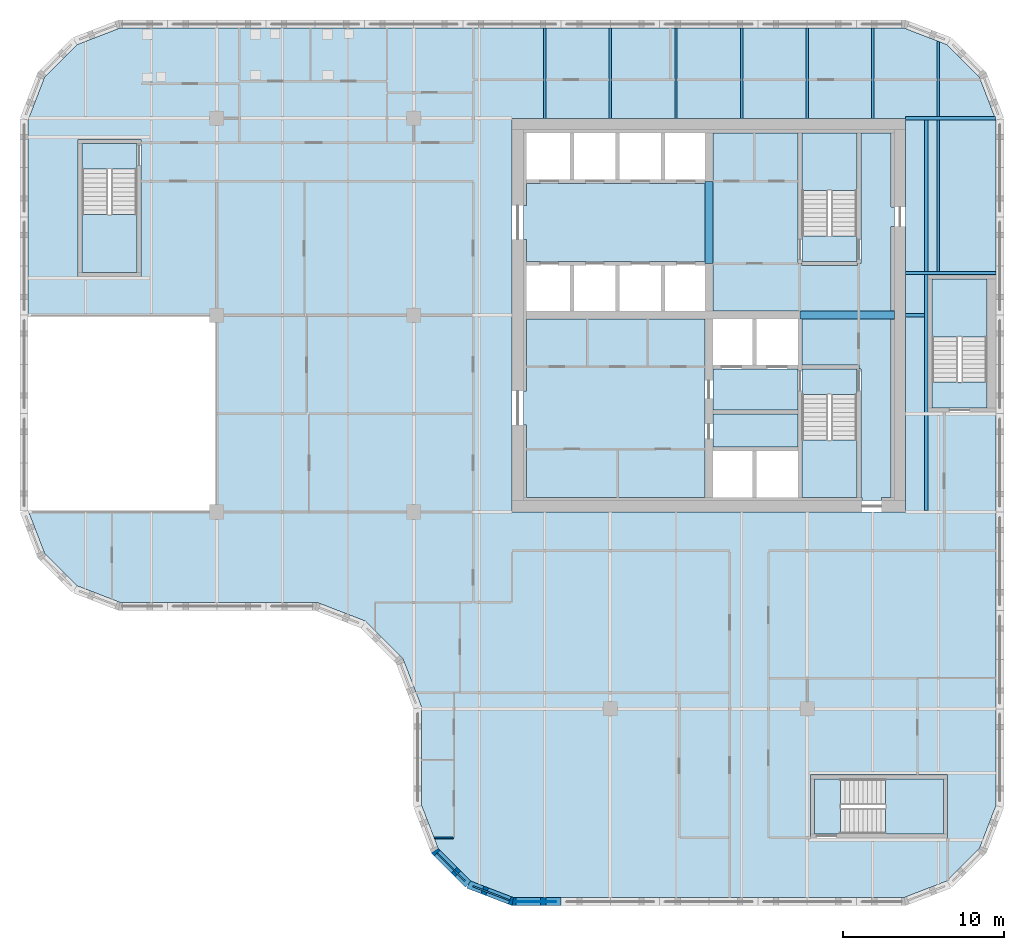
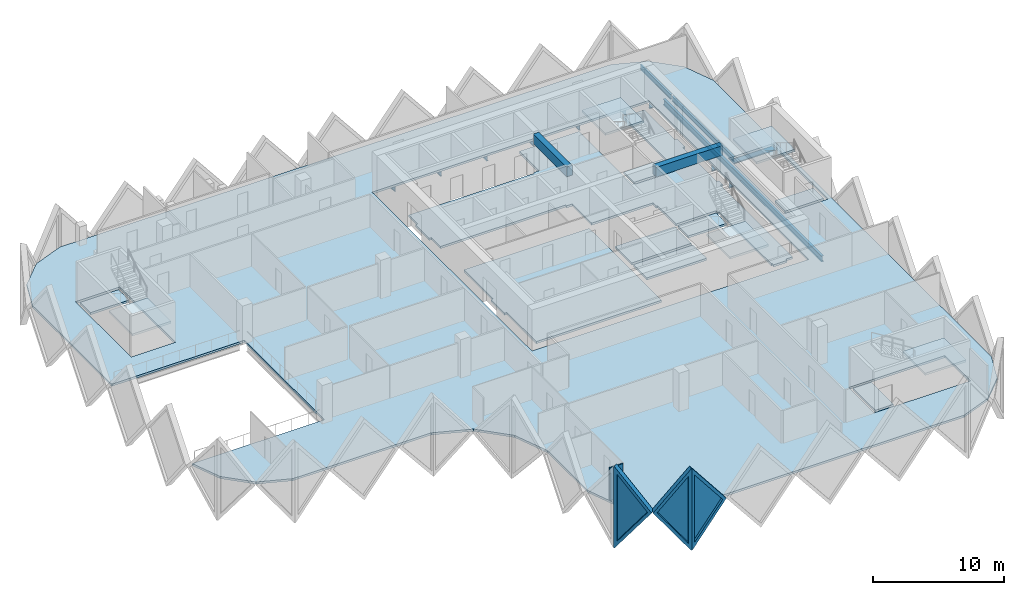
# One storey, part 2 of 13: 15 slabs, 14 beams, 4 walls, 3 plates, 3 openings, 5 elements without a shape of their own.
"""IFC4 building model written with IfcOpenShell, lengths in metres."""

from ifc_helpers import new_model, si_unit, direction, frame, frame_2d, origin, origin_2d, place, context, subcontext, project, spatial, polyline, rectangle, i_section, outline, extrude, faceted_brep, source, transform, mapped, material, layer, layer_set, material_profile, profile_set, type_object, element, fill, aggregate, save


model = new_model("IFC4")

# Units and contexts
model_context = context("Model", 3, precision=1e-05, world=origin(), true_north=direction((0.0, 1.0)))
body_context = subcontext(model_context, "Body", "Model", "MODEL_VIEW")
ifc_project = project(units=[si_unit("LENGTHUNIT", "METRE"), si_unit("AREAUNIT", "SQUARE_METRE"), si_unit("VOLUMEUNIT", "CUBIC_METRE"), si_unit("PLANEANGLEUNIT", "RADIAN"), si_unit("MASSUNIT", "GRAM", prefix="KILO")], contexts=[model_context])

# Site, building, storey
site_placement = place(None, origin())
site = spatial("IfcSite", under=ifc_project, at=site_placement, CompositionType="ELEMENT")
building_placement = place(site_placement, origin())
building = spatial("IfcBuilding", under=site, at=building_placement, Name="Tessera Gate Towers", CompositionType="ELEMENT")
storey_placement = place(building_placement, frame((0.0, 0.0, 120.199951171875)))
storey = spatial("IfcBuildingStorey", under=building, at=storey_placement, Name="L29", CompositionType="ELEMENT", Elevation=120.199951171875)

# Beams
ifc_material_1 = material(Name="Concrete C60/75", Category="concrete")
ifc_material_profile_1 = material_profile(ifc_material_1, rectangle(XDim=0.5, YDim=0.89990234375, at=origin_2d()), Name="RC 500x900")
ifc_profile_set_1 = profile_set([ifc_material_profile_1], Name="Concrete C60/75")
beam_type_1 = type_object("IfcBeamType", Name="COUPLING BEAM 500x900 C60/75", PredefinedType="BEAM", material=ifc_profile_set_1)
beam_1_placement = place(storey_placement, frame((48.35009765625, 36.60009765625, 3.150146484375), z_axis=(1.0, 0.0, 0.0), x_axis=(0.0, 1.0, 0.0)))
element("IfcBeam", 1, at=beam_1_placement, inside=storey, type_object=beam_type_1, Name="L29 coupling beam 1", PredefinedType="BEAM", context=body_context, shape_type="SweptSolid", body=[
    extrude(rectangle(XDim=0.5, YDim=0.89990234375, at=origin_2d()), origin(), (0.0, 0.0, 1.0), 5.849853515625),
])
beam_2_placement = place(storey_placement, frame((42.699951171875, 39.800048828125, 3.150146484375), z_axis=(0.0, 1.0, 0.0), x_axis=(-1.0, 0.0, 0.0)))
element("IfcBeam", 2, at=beam_2_placement, inside=storey, type_object=beam_type_1, Name="L29 coupling beam 2", PredefinedType="BEAM", context=body_context, shape_type="SweptSolid", body=[
    extrude(rectangle(XDim=0.5, YDim=0.89990234375, at=origin_2d()), origin(), (0.0, 0.0, 1.0), 5.099853515625),
])
ifc_material_2 = material(Name="Steel 350W", Category="steel")
ifc_material_profile_2 = material_profile(ifc_material_2, i_section(OverallWidth=0.208984375, OverallDepth=0.532958984375, WebThickness=0.01025390625, FlangeThickness=0.015625, at=origin_2d()), Name="W530x92")
ifc_profile_set_2 = profile_set([ifc_material_profile_2], Name="Steel 350W")
beam_type_2 = type_object("IfcBeamType", Name="FLOOR GIRDER W530x92", PredefinedType="BEAM", material=ifc_profile_set_2)
beam_3_placement = place(storey_placement, frame((54.89892578125, 36.60009765625, -0.466552734375), z_axis=(1.0, 0.0, 0.0), x_axis=(0.0, 1.0, 0.0)))
element("IfcBeam", 3, at=beam_3_placement, inside=storey, type_object=beam_type_2, Name="T1-GD-L29-3714", PredefinedType="BEAM", context=body_context, shape_type="SweptSolid", body=[
    extrude(i_section(OverallWidth=0.208984375, OverallDepth=0.532958984375, WebThickness=0.01025390625, FlangeThickness=0.015625, at=origin_2d()), origin(), (0.0, 0.0, 1.0), 1.176513671875),
])
beam_4_placement = place(storey_placement, frame((54.90087890625, 48.800048828125, -0.466552734375), z_axis=(1.0, 0.0, 0.0), x_axis=(0.0, 1.0, 0.0)))
element("IfcBeam", 4, at=beam_4_placement, inside=storey, type_object=beam_type_2, Name="T1-GD-L29-3718", PredefinedType="BEAM", context=body_context, shape_type="SweptSolid", body=[
    extrude(i_section(OverallWidth=0.208984375, OverallDepth=0.532958984375, WebThickness=0.01025390625, FlangeThickness=0.015625, at=origin_2d()), origin(), (0.0, 0.0, 1.0), 5.564208984375),
])
beam_5_placement = place(storey_placement, frame((54.89892578125, 39.219970703125, -0.466552734375), z_axis=(1.0, 0.0, 0.0), x_axis=(0.0, 1.0, 0.0)))
element("IfcBeam", 5, at=beam_5_placement, inside=storey, type_object=beam_type_2, Name="T1-GD-L29-3736", PredefinedType="BEAM", context=body_context, shape_type="SweptSolid", body=[
    extrude(i_section(OverallWidth=0.208984375, OverallDepth=0.532958984375, WebThickness=0.01025390625, FlangeThickness=0.015625, at=origin_2d()), origin(), (0.0, 0.0, 1.0), 5.60205078125),
])
beam_6_placement = place(storey_placement, frame((56.179931640625, 24.50439453125, -0.466552734375), z_axis=(0.0, 1.0, 0.0), x_axis=(-1.0, 0.0, 0.0)))
element("IfcBeam", 6, at=beam_6_placement, inside=storey, type_object=beam_type_2, Name="T1-GD-L29-3737", PredefinedType="BEAM", context=body_context, shape_type="SweptSolid", body=[
    extrude(i_section(OverallWidth=0.208984375, OverallDepth=0.532958984375, WebThickness=0.01025390625, FlangeThickness=0.015625, at=origin_2d()), origin(), (0.0, 0.0, 1.0), 24.191162109375),
])
ifc_material_3 = material(Name="Steel 350W", Category="steel")
ifc_material_profile_3 = material_profile(ifc_material_3, i_section(OverallWidth=0.153076171875, OverallDepth=0.455078125, WebThickness=0.008056640625, FlangeThickness=0.01318359375, at=origin_2d()), Name="W460x60")
ifc_profile_set_3 = profile_set([ifc_material_profile_3], Name="Steel 350W")
beam_type_3 = type_object("IfcBeamType", Name="FLOOR SECONDARY W460x60", PredefinedType="BEAM", material=ifc_profile_set_3)
for number, where, z_axis, x_axis, name in (
    (7, (32.533203125, 48.800048828125, -0.427490234375), (0.0, 1.0, 0.0), (-1.0, 0.0, 0.0), "T1-BM-L29-3759"),
    (8, (36.60009765625, 48.800048828125, -0.427490234375), (0.0, 1.0, 0.0), (-1.0, 0.0, 0.0), "T1-BM-L29-3760"),
    (9, (40.666748046875, 48.800048828125, -0.427490234375), (0.0, 1.0, 0.0), (-1.0, 0.0, 0.0), "T1-BM-L29-3763"),
    (10, (44.7333984375, 48.800048828125, -0.427490234375), (0.0, 1.0, 0.0), (-1.0, 0.0, 0.0), "T1-BM-L29-3766"),
    (11, (48.800048828125, 48.800048828125, -0.427490234375), (0.0, 1.0, 0.0), (-1.0, 0.0, 0.0), "T1-BM-L29-3767"),
    (12, (52.86669921875, 48.800048828125, -0.427490234375), (0.0, 1.0, 0.0), (-1.0, 0.0, 0.0), "T1-BM-L29-3771"),
):
    element("IfcBeam", number, at=place(storey_placement, frame(where, z_axis=z_axis, x_axis=x_axis)), inside=storey, type_object=beam_type_3, Name=name, PredefinedType="BEAM", context=body_context, shape_type="SweptSolid", body=[
        extrude(i_section(OverallWidth=0.153076171875, OverallDepth=0.455078125, WebThickness=0.008056640625, FlangeThickness=0.01318359375, at=origin_2d()), origin(), (0.0, 0.0, 1.0), 5.599853515625),
    ])
beam_7_placement = place(storey_placement, frame((56.933349609375, 39.324462890625, -0.427490234375), z_axis=(0.0, 1.0, 0.0), x_axis=(-1.0, 0.0, 0.0)))
element("IfcBeam", 13, at=beam_7_placement, inside=storey, type_object=beam_type_3, Name="T1-BM-L29-3776", PredefinedType="BEAM", context=body_context, shape_type="SweptSolid", body=[
    extrude(i_section(OverallWidth=0.153076171875, OverallDepth=0.455078125, WebThickness=0.008056640625, FlangeThickness=0.01318359375, at=origin_2d()), origin(), (0.0, 0.0, 1.0), 9.37109375),
])
beam_8_placement = place(storey_placement, frame((56.933349609375, 48.904541015625, -0.427490234375), z_axis=(0.0, 1.0, 0.0), x_axis=(-1.0, 0.0, 0.0)))
element("IfcBeam", 14, at=beam_8_placement, inside=storey, type_object=beam_type_3, Name="T1-BM-L29-3777", PredefinedType="BEAM", context=body_context, shape_type="SweptSolid", body=[
    extrude(i_section(OverallWidth=0.153076171875, OverallDepth=0.455078125, WebThickness=0.008056640625, FlangeThickness=0.01318359375, at=origin_2d()), origin(), (0.0, 0.0, 1.0), 4.675048828125),
])

# Slabs
ifc_material_4 = material(Name="Concrete C35/45", Category="concrete")
ifc_layer_1 = layer(ifc_material_4, 0.199951171875)
ifc_layer_set_1 = layer_set([ifc_layer_1], Name="COMPOSITE FLOOR 200")
slab_type_1 = type_object("IfcSlabType", Name="COMPOSITE FLOOR 200", PredefinedType="FLOOR", material=ifc_layer_set_1)
slab_1_placement = place(storey_placement, frame((0.0, 0.0, -0.199951171875)))
element("IfcSlab", 15, at=slab_1_placement, inside=storey, type_object=slab_type_1, Name="T1-L29", PredefinedType="FLOOR", context=body_context, shape_type="SweptSolid", body=[
    extrude(outline(polyline([(0.5, 36.60009765625), (12.199951171875, 36.60009765625), (12.199951171875, 24.39990234375), (0.535888671875, 24.39990234375), (1.526123046875, 21.8330078125), (3.533203125, 19.826171875), (6.193115234375, 18.800048828125), (18.39306640625, 18.800048828125), (21.42431640625, 17.630615234375), (23.730712890625, 15.32421875), (24.89990234375, 12.293212890625), (24.89990234375, 6.193115234375), (25.926025390625, 3.533203125), (27.93310546875, 1.526123046875), (30.593017578125, 0.5), (54.806884765625, 0.5), (57.466796875, 1.526123046875), (59.473876953125, 3.533203125), (60.5, 6.193115234375), (60.5, 48.706787109375), (59.473876953125, 51.366943359375), (57.466796875, 53.373779296875), (54.806884765625, 54.39990234375), (6.193115234375, 54.39990234375), (3.533203125, 53.373779296875), (1.526123046875, 51.366943359375), (0.5, 48.706787109375), (0.5, 36.60009765625)]), holes=[polyline([(3.60009765625, 39.0), (3.60009765625, 47.5), (7.5, 47.5), (7.5, 39.0), (3.60009765625, 39.0)]), polyline([(30.5, 24.39990234375), (30.5, 48.800048828125), (54.89990234375, 48.800048828125), (54.89990234375, 24.39990234375), (30.5, 24.39990234375)]), polyline([(49.0, 4.199951171875), (49.0, 8.10009765625), (57.5, 8.10009765625), (57.5, 4.199951171875), (49.0, 4.199951171875)]), polyline([(56.300048828125, 30.60009765625), (56.300048828125, 39.10009765625), (60.199951171875, 39.10009765625), (60.199951171875, 30.60009765625), (56.300048828125, 30.60009765625)])]), origin(), (0.0, 0.0, 1.0), 0.199951171875),
])
ifc_material_5 = material(Name="Concrete C35/45", Category="concrete")
ifc_layer_2 = layer(ifc_material_5, 0.199951171875)
ifc_layer_set_2 = layer_set([ifc_layer_2], Name="CORE FLOOR SLAB 200")
slab_type_2 = type_object("IfcSlabType", Name="CORE FLOOR SLAB 200", PredefinedType="FLOOR", material=ifc_layer_set_2)
slab_2_placement = place(storey_placement, frame((0.0, 0.0, -0.199951171875)))
element("IfcSlab", 16, at=slab_2_placement, inside=storey, type_object=slab_type_2, Name="L29 core floor slab", PredefinedType="FLOOR", context=body_context, shape_type="SweptSolid", body=[
    extrude(outline(polyline([(42.449951171875, 44.89990234375), (42.449951171875, 44.77490234375), (31.39990234375, 44.77490234375), (31.39990234375, 43.39990234375), (31.199951171875, 43.39990234375), (31.199951171875, 41.300048828125), (31.39990234375, 41.300048828125), (31.39990234375, 39.925048828125), (42.449951171875, 39.925048828125), (42.449951171875, 39.800048828125), (42.949951171875, 39.800048828125), (42.949951171875, 36.85009765625), (48.35009765625, 36.85009765625), (48.35009765625, 36.35009765625), (48.47509765625, 36.35009765625), (48.47509765625, 33.52490234375), (52.0, 33.52490234375), (52.0, 33.27490234375), (52.125, 33.27490234375), (52.125, 25.300048828125), (52.199951171875, 25.300048828125), (52.199951171875, 25.10009765625), (53.39990234375, 25.10009765625), (53.39990234375, 25.300048828125), (54.0, 25.300048828125), (54.0, 36.320068359375), (54.199951171875, 36.320068359375), (54.199951171875, 36.8798828125), (54.0, 36.8798828125), (54.0, 42.10009765625), (54.199951171875, 42.10009765625), (54.199951171875, 43.300048828125), (54.0, 43.300048828125), (54.0, 47.89990234375), (52.125, 47.89990234375), (52.125, 39.800048828125), (51.875, 39.800048828125), (51.875, 39.675048828125), (48.47509765625, 39.675048828125), (48.47509765625, 39.800048828125), (48.22509765625, 39.800048828125), (48.22509765625, 47.89990234375), (42.949951171875, 47.89990234375), (42.949951171875, 44.89990234375), (42.449951171875, 44.89990234375)])), origin(), (0.0, 0.0, 1.0), 0.199951171875),
])
slab_3_placement = place(storey_placement, frame((0.0, 0.0, -0.199951171875)))
element("IfcSlab", 17, at=slab_3_placement, inside=storey, type_object=slab_type_2, Name="L29 core floor slab", PredefinedType="FLOOR", context=body_context, shape_type="SweptSolid", body=[
    extrude(outline(polyline([(31.39990234375, 36.35009765625), (31.39990234375, 31.89990234375), (31.199951171875, 31.89990234375), (31.199951171875, 29.800048828125), (31.39990234375, 29.800048828125), (31.39990234375, 25.300048828125), (42.449951171875, 25.300048828125), (42.449951171875, 36.35009765625), (31.39990234375, 36.35009765625)])), origin(), (0.0, 0.0, 1.0), 0.199951171875),
])
slab_4_placement = place(storey_placement, frame((0.0, 0.0, -0.199951171875)))
element("IfcSlab", 18, at=slab_4_placement, inside=storey, type_object=slab_type_2, Name="L29 core floor slab", PredefinedType="FLOOR", context=body_context, shape_type="SweptSolid", body=[
    extrude(outline(polyline([(42.949951171875, 33.27490234375), (42.949951171875, 30.72509765625), (48.22509765625, 30.72509765625), (48.22509765625, 33.27490234375), (42.949951171875, 33.27490234375)])), origin(), (0.0, 0.0, 1.0), 0.199951171875),
])
slab_5_placement = place(storey_placement, frame((0.0, 0.0, -0.199951171875)))
element("IfcSlab", 19, at=slab_5_placement, inside=storey, type_object=slab_type_2, Name="L29 core floor slab", PredefinedType="FLOOR", context=body_context, shape_type="SweptSolid", body=[
    extrude(outline(polyline([(48.22509765625, 30.47509765625), (42.949951171875, 30.47509765625), (42.949951171875, 28.425048828125), (48.22509765625, 28.425048828125), (48.22509765625, 30.47509765625)])), origin(), (0.0, 0.0, 1.0), 0.199951171875),
])
slab_6_placement = place(storey_placement, frame((0.0, 0.0, -0.199951171875)))
element("IfcSlab", 20, at=slab_6_placement, inside=storey, type_object=slab_type_2, Name="L29 core floor slab", PredefinedType="FLOOR", context=body_context, shape_type="SweptSolid", body=[
    extrude(outline(polyline([(51.875, 31.675048828125), (51.875, 33.27490234375), (48.47509765625, 33.27490234375), (48.47509765625, 31.675048828125), (51.875, 31.675048828125)])), origin(), (0.0, 0.0, 1.0), 0.199951171875),
])
slab_7_placement = place(storey_placement, frame((0.0, 0.0, -0.199951171875)))
element("IfcSlab", 21, at=slab_7_placement, inside=storey, type_object=slab_type_2, Name="L29 core floor slab", PredefinedType="FLOOR", context=body_context, shape_type="SweptSolid", body=[
    extrude(outline(polyline([(48.47509765625, 41.52490234375), (48.47509765625, 39.925048828125), (51.875, 39.925048828125), (51.875, 41.52490234375), (48.47509765625, 41.52490234375)])), origin(), (0.0, 0.0, 1.0), 0.199951171875),
])
slab_8_placement = place(storey_placement, frame((0.0, 0.0, -0.199951171875)))
element("IfcSlab", 22, at=slab_8_placement, inside=storey, type_object=slab_type_2, Name="L29 ST3 floor landing", PredefinedType="FLOOR", context=body_context, shape_type="SweptSolid", body=[
    extrude(outline(polyline([(3.85009765625, 47.25), (3.85009765625, 45.64990234375), (7.25, 45.64990234375), (7.25, 47.25), (3.85009765625, 47.25)])), origin(), (0.0, 0.0, 1.0), 0.199951171875),
])
slab_9_placement = place(storey_placement, frame((0.0, 0.0, -0.199951171875)))
element("IfcSlab", 23, at=slab_9_placement, inside=storey, type_object=slab_type_2, Name="L29 ST4 floor landing", PredefinedType="FLOOR", context=body_context, shape_type="SweptSolid", body=[
    extrude(outline(polyline([(49.25, 4.449951171875), (50.85009765625, 4.449951171875), (50.85009765625, 7.85009765625), (49.25, 7.85009765625), (49.25, 4.449951171875)])), origin(), (0.0, 0.0, 1.0), 0.199951171875),
])
slab_10_placement = place(storey_placement, frame((0.0, 0.0, -0.199951171875)))
element("IfcSlab", 24, at=slab_10_placement, inside=storey, type_object=slab_type_2, Name="L29 ST5 floor landing", PredefinedType="FLOOR", context=body_context, shape_type="SweptSolid", body=[
    extrude(outline(polyline([(59.949951171875, 30.85009765625), (59.949951171875, 32.449951171875), (56.550048828125, 32.449951171875), (56.550048828125, 30.85009765625), (59.949951171875, 30.85009765625)])), origin(), (0.0, 0.0, 1.0), 0.199951171875),
])

# Stair, slab
ifc_material_6 = material(Name="Concrete C40/50", Category="concrete")
stair_type_1 = type_object("IfcStairType", Name="EXIT STAIR ST1 1600", PredefinedType="HALF_TURN_STAIR", material=ifc_material_6)
stair_1_placement = place(storey_placement, origin())
stair_1 = element("IfcStair", 25, at=stair_1_placement, inside=storey, type_object=stair_type_1, Name="L29 Protected Exit Stair ST1", PredefinedType="HALF_TURN_STAIR")
ifc_material_7 = material(Name="Concrete C40/50", Category="concrete")
ifc_layer_3 = layer(ifc_material_7, 0.199951171875)
ifc_layer_set_3 = layer_set([ifc_layer_3], Name="EXIT STAIR LANDING 200")
slab_type_3 = type_object("IfcSlabType", Name="EXIT STAIR LANDING 200", PredefinedType="LANDING", material=ifc_layer_set_3)
slab_11_placement = place(storey_placement, frame((0.0, 0.0, 1.699951171875)))
slab_11 = element("IfcSlab", 26, at=slab_11_placement, type_object=slab_type_3, Name="ST1 landing 1", PredefinedType="LANDING", context=body_context, shape_type="SweptSolid", body=[
    extrude(outline(polyline([(48.47509765625, 28.875), (48.47509765625, 25.300048828125), (51.875, 25.300048828125), (51.875, 28.875), (48.47509765625, 28.875)])), origin(), (0.0, 0.0, 1.0), 0.2001953125),
])
aggregate(stair_1, [slab_11])

ifc_material_8 = material(Name="Concrete C40/50", Category="concrete")
stair_type_2 = type_object("IfcStairType", Name="EXIT STAIR ST2 1600", PredefinedType="HALF_TURN_STAIR", material=ifc_material_8)
stair_2_placement = place(storey_placement, origin())
stair_2 = element("IfcStair", 27, at=stair_2_placement, inside=storey, type_object=stair_type_2, Name="L29 Protected Exit Stair ST2", PredefinedType="HALF_TURN_STAIR")
slab_12_placement = place(storey_placement, frame((0.0, 0.0, 1.699951171875)))
slab_12 = element("IfcSlab", 28, at=slab_12_placement, type_object=slab_type_3, Name="ST2 landing 1", PredefinedType="LANDING", context=body_context, shape_type="SweptSolid", body=[
    extrude(outline(polyline([(51.875, 44.324951171875), (51.875, 47.89990234375), (48.47509765625, 47.89990234375), (48.47509765625, 44.324951171875), (51.875, 44.324951171875)])), origin(), (0.0, 0.0, 1.0), 0.2001953125),
])
aggregate(stair_2, [slab_12])

ifc_material_9 = material(Name="Concrete C40/50", Category="concrete")
stair_type_3 = type_object("IfcStairType", Name="EXIT STAIR ST3 1600", PredefinedType="HALF_TURN_STAIR", material=ifc_material_9)
stair_3_placement = place(storey_placement, origin())
stair_3 = element("IfcStair", 29, at=stair_3_placement, inside=storey, type_object=stair_type_3, Name="L29 West Exit Stair ST3", PredefinedType="HALF_TURN_STAIR")
slab_13_placement = place(storey_placement, frame((0.0, 0.0, 1.699951171875)))
slab_13 = element("IfcSlab", 30, at=slab_13_placement, type_object=slab_type_3, Name="ST3 landing 1", PredefinedType="LANDING", context=body_context, shape_type="SweptSolid", body=[
    extrude(outline(polyline([(3.85009765625, 42.85009765625), (3.85009765625, 39.25), (7.25, 39.25), (7.25, 42.85009765625), (3.85009765625, 42.85009765625)])), origin(), (0.0, 0.0, 1.0), 0.2001953125),
])
aggregate(stair_3, [slab_13])

ifc_material_10 = material(Name="Concrete C40/50", Category="concrete")
stair_type_4 = type_object("IfcStairType", Name="EXIT STAIR ST4 1600", PredefinedType="HALF_TURN_STAIR", material=ifc_material_10)
stair_4_placement = place(storey_placement, origin())
stair_4 = element("IfcStair", 31, at=stair_4_placement, inside=storey, type_object=stair_type_4, Name="L29 South Exit Stair ST4", PredefinedType="HALF_TURN_STAIR")
slab_14_placement = place(storey_placement, frame((0.0, 0.0, 1.699951171875)))
slab_14 = element("IfcSlab", 32, at=slab_14_placement, type_object=slab_type_3, Name="ST4 landing 1", PredefinedType="LANDING", context=body_context, shape_type="SweptSolid", body=[
    extrude(outline(polyline([(53.64990234375, 4.449951171875), (57.25, 4.449951171875), (57.25, 7.85009765625), (53.64990234375, 7.85009765625), (53.64990234375, 4.449951171875)])), origin(), (0.0, 0.0, 1.0), 0.2001953125),
])
aggregate(stair_4, [slab_14])

ifc_material_11 = material(Name="Concrete C40/50", Category="concrete")
stair_type_5 = type_object("IfcStairType", Name="EXIT STAIR ST5 1600", PredefinedType="HALF_TURN_STAIR", material=ifc_material_11)
stair_5_placement = place(storey_placement, origin())
stair_5 = element("IfcStair", 33, at=stair_5_placement, inside=storey, type_object=stair_type_5, Name="L29 East Exit Stair ST5", PredefinedType="HALF_TURN_STAIR")
slab_15_placement = place(storey_placement, frame((0.0, 0.0, 1.699951171875)))
slab_15 = element("IfcSlab", 34, at=slab_15_placement, type_object=slab_type_3, Name="ST5 landing 1", PredefinedType="LANDING", context=body_context, shape_type="SweptSolid", body=[
    extrude(outline(polyline([(59.949951171875, 35.25), (59.949951171875, 38.85009765625), (56.550048828125, 38.85009765625), (56.550048828125, 35.25), (59.949951171875, 35.25)])), origin(), (0.0, 0.0, 1.0), 0.2001953125),
])
aggregate(stair_5, [slab_15])

# Wall
ifc_material_12 = material(Name="Gypsum board on steel studs", Category="steel")
ifc_layer_4 = layer(ifc_material_12, 0.10009765625)
ifc_layer_set_4 = layer_set([ifc_layer_4], Name="PARTITION 100")
wall_type_1 = type_object("IfcWallType", Name="PARTITION 100", PredefinedType="PARTITIONING", material=ifc_layer_set_4)
wall_1_placement = place(storey_placement, frame((25.668701171875, 4.199951171875, 0.0), z_axis=(0.0, 0.0, 1.0), x_axis=(1.0, 0.0, 0.0)))
element("IfcWall", 35, at=wall_1_placement, inside=storey, type_object=wall_type_1, Name="T1-L29-PW-003", PredefinedType="PARTITIONING", context=body_context, shape_type="SweptSolid", body=[
    extrude(rectangle(XDim=1.180419921875, YDim=0.10009765625, at=frame_2d((0.59033203125, 0.0))), origin(), (0.0, 0.0, 1.0), 3.067138671875),
])

# Wall, opening, plate
ifc_material_13 = material(Name="Precast concrete C60/75 white", Category="concrete")
ifc_layer_5 = layer(ifc_material_13, 0.5)
ifc_layer_set_5 = layer_set([ifc_layer_5], Name="TS3 corner tessera")
wall_type_2 = type_object("IfcWallType", Name="TS3 corner tessera", PredefinedType="SOLIDWALL", material=ifc_layer_set_5)
shared_shape_1 = source(origin(), body_context, "Body", "Brep", [
    faceted_brep([(0.046630859375, -0.25, 0.0), (3.050048828125, -0.25, 3.800048828125), (0.046630859375, -0.25, 7.60009765625), (0.0, -0.25, 7.5400390625), (0.0, -0.25, 0.06005859375), (0.09326171875, 0.25, 7.541259765625), (3.050048828125, 0.25, 3.800048828125), (0.09326171875, 0.25, 0.058837890625), (0.046630859375, 0.0, 0.0), (0.046630859375, 0.0, 7.60009765625)], [[[0, 1, 2, 3, 4]], [[5, 6, 7]], [[7, 6, 1, 0, 8]], [[6, 5, 9, 2, 1]], [[3, 2, 9]], [[8, 0, 4]], [[7, 8, 4, 3, 9, 5]]]),
])
wall_2_placement = place(storey_placement, frame((30.5, 0.25, -3.800048828125), z_axis=(0.0, 0.0, 1.0), x_axis=(1.0, 0.0, 0.0)))
wall_2 = element("IfcWall", 36, at=wall_2_placement, inside=storey, type_object=wall_type_2, Name="Precast corner tessera T1 TS3-0649", PredefinedType="SOLIDWALL", context=body_context, shape_type="MappedRepresentation", body=[
    mapped(shared_shape_1, transform((0.0, 0.0, 0.0), scale=1.0)),
])
shared_shape_2 = source(origin(), body_context, "Body", "SweptSolid", [
    extrude(outline(polyline([(0.24658203125, 0.65625), (2.7314453125, 3.800048828125), (0.24658203125, 6.94384765625), (0.24658203125, 0.65625)])), frame((0.0, 0.260009765625, 0.0), z_axis=(0.0, -1.0, 0.0), x_axis=(1.0, 0.0, 0.0)), (0.0, 0.0, 1.0), 0.52001953125),
])
opening_1_placement = place(wall_2_placement, origin())
opening_1 = element("IfcOpeningElement", 37, at=opening_1_placement, cuts=wall_2, Name="Opening T1-PL2-0940", PredefinedType="OPENING", context=body_context, shape_type="MappedRepresentation", body=[
    mapped(shared_shape_2, transform((0.0, 0.0, 0.0), scale=1.0)),
])
ifc_material_14 = material(Name="Low-e laminated glass", Category="glass")
ifc_layer_6 = layer(ifc_material_14, 0.06005859375)
ifc_layer_set_6 = layer_set([ifc_layer_6], Name="PL2 rhombic pane")
plate_type = type_object("IfcPlateType", Name="PL2 rhombic pane", PredefinedType="SHEET", material=ifc_layer_set_6)
shared_shape_3 = source(origin(), body_context, "Body", "SweptSolid", [
    extrude(outline(polyline([(0.24658203125, 0.65625), (2.7314453125, 3.800048828125), (0.24658203125, 6.94384765625), (0.24658203125, 0.65625)])), frame((0.0, 0.030029296875, 0.0), z_axis=(0.0, -1.0, 0.0), x_axis=(1.0, 0.0, 0.0)), (0.0, 0.0, 1.0), 0.06005859375),
])
plate_1_placement = place(opening_1_placement, origin())
plate_1 = element("IfcPlate", 38, at=plate_1_placement, inside=storey, type_object=plate_type, Name="Glass pane T1 PL2-0940", PredefinedType="SHEET", context=body_context, shape_type="MappedRepresentation", body=[
    mapped(shared_shape_3, transform((0.0, 0.0, 0.0), scale=1.0)),
])
fill(opening_1, plate_1)

shared_shape_4 = source(origin(), body_context, "Body", "Brep", [
    faceted_brep([(0.052978515625, -0.25, 0.0), (2.9970703125, -0.25, 3.800048828125), (0.052978515625, -0.25, 7.60009765625), (0.0, -0.25, 7.531982421875), (0.0, -0.25, 0.068115234375), (0.10595703125, 0.25, 7.53173828125), (2.944091796875, 0.25, 3.8681640625), (2.944091796875, 0.25, 3.73193359375), (0.10595703125, 0.25, 0.068359375), (2.9970703125, 0.000244140625, 3.800048828125), (0.052978515625, 0.0, 0.0), (0.052978515625, 0.0, 7.60009765625)], [[[0, 1, 2, 3, 4]], [[5, 6, 7, 8]], [[8, 7, 9, 1, 0, 10]], [[6, 5, 11, 2, 1, 9]], [[3, 2, 11]], [[10, 0, 4]], [[8, 10, 4, 3, 11, 5]], [[9, 7, 6]]]),
])
wall_3_placement = place(storey_placement, frame((25.674560546875, 3.43115234375, -3.800048828125), z_axis=(0.0, 0.0, 1.0), x_axis=(0.707106781187, -0.707106781187, 0.0)))
wall_3 = element("IfcWall", 39, at=wall_3_placement, inside=storey, type_object=wall_type_2, Name="Precast corner tessera T1 TS3-0672", PredefinedType="SOLIDWALL", context=body_context, shape_type="MappedRepresentation", body=[
    mapped(shared_shape_4, transform((0.0, 0.0, 0.0), scale=1.0)),
])
shared_shape_5 = source(origin(), body_context, "Body", "SweptSolid", [
    extrude(outline(polyline([(0.2529296875, 0.66650390625), (2.680908203125, 3.800048828125), (0.2529296875, 6.933837890625), (0.2529296875, 0.66650390625)])), frame((0.0, 0.260009765625, 0.0), z_axis=(0.0, -1.0, 0.0), x_axis=(1.0, 0.0, 0.0)), (0.0, 0.0, 1.0), 0.52001953125),
])
opening_2_placement = place(wall_3_placement, origin())
opening_2 = element("IfcOpeningElement", 40, at=opening_2_placement, cuts=wall_3, Name="Opening T1-PL2-0986", PredefinedType="OPENING", context=body_context, shape_type="MappedRepresentation", body=[
    mapped(shared_shape_5, transform((0.0, 0.0, 0.0), scale=1.0)),
])
shared_shape_6 = source(origin(), body_context, "Body", "SweptSolid", [
    extrude(outline(polyline([(0.2529296875, 0.66650390625), (2.680908203125, 3.800048828125), (0.2529296875, 6.933837890625), (0.2529296875, 0.66650390625)])), frame((0.0, 0.030029296875, 0.0), z_axis=(0.0, -1.0, 0.0), x_axis=(1.0, 0.0, 0.0)), (0.0, 0.0, 1.0), 0.06005859375),
])
plate_2_placement = place(opening_2_placement, origin())
plate_2 = element("IfcPlate", 41, at=plate_2_placement, inside=storey, type_object=plate_type, Name="Glass pane T1 PL2-0986", PredefinedType="SHEET", context=body_context, shape_type="MappedRepresentation", body=[
    mapped(shared_shape_6, transform((0.0, 0.0, 0.0), scale=1.0)),
])
fill(opening_2, plate_2)

shared_shape_7 = source(origin(), body_context, "Body", "Brep", [
    faceted_brep([(2.950439453125, -0.25, 0.0), (2.9970703125, -0.25, 0.05908203125), (2.9970703125, -0.25, 7.541015625), (2.950439453125, -0.25, 7.60009765625), (0.0, -0.25, 3.800048828125), (0.052978515625, 0.25, 3.8681640625), (2.904052734375, 0.25, 7.540283203125), (2.904052734375, 0.25, 0.059814453125), (0.052978515625, 0.25, 3.73193359375), (2.950439453125, 0.00048828125, 0.0), (2.950439453125, 0.00048828125, 7.60009765625), (0.0, 0.0, 3.800048828125)], [[[0, 1, 2, 3, 4]], [[5, 6, 7, 8]], [[1, 0, 9]], [[10, 3, 2]], [[6, 5, 11, 4, 3, 10]], [[8, 7, 9, 0, 4, 11]], [[8, 11, 5]], [[1, 9, 7, 6, 10, 2]]]),
])
wall_4_placement = place(storey_placement, frame((27.793701171875, 1.31201171875, -3.800048828125), z_axis=(0.0, 0.0, 1.0), x_axis=(0.932973525033, -0.359944998003, 0.0)))
wall_4 = element("IfcWall", 42, at=wall_4_placement, inside=storey, type_object=wall_type_2, Name="Precast corner tessera T1 TS3-0650", PredefinedType="SOLIDWALL", context=body_context, shape_type="MappedRepresentation", body=[
    mapped(shared_shape_7, transform((0.0, 0.0, 0.0), scale=1.0)),
])
shared_shape_8 = source(origin(), body_context, "Body", "SweptSolid", [
    extrude(outline(polyline([(2.75048828125, 6.934814453125), (0.31640625, 3.800048828125), (2.75048828125, 0.665283203125), (2.75048828125, 6.934814453125)])), frame((0.0, 0.260009765625, 0.0), z_axis=(0.0, -1.0, 0.0), x_axis=(1.0, 0.0, 0.0)), (0.0, 0.0, 1.0), 0.52001953125),
])
opening_3_placement = place(wall_4_placement, origin())
opening_3 = element("IfcOpeningElement", 43, at=opening_3_placement, cuts=wall_4, Name="Opening T1-PL2-0941", PredefinedType="OPENING", context=body_context, shape_type="MappedRepresentation", body=[
    mapped(shared_shape_8, transform((0.0, 0.0, 0.0), scale=1.0)),
])
shared_shape_9 = source(origin(), body_context, "Body", "SweptSolid", [
    extrude(outline(polyline([(2.75048828125, 6.934814453125), (0.31640625, 3.800048828125), (2.75048828125, 0.665283203125), (2.75048828125, 6.934814453125)])), frame((0.0, 0.030029296875, 0.0), z_axis=(0.0, -1.0, 0.0), x_axis=(1.0, 0.0, 0.0)), (0.0, 0.0, 1.0), 0.06005859375),
])
plate_3_placement = place(opening_3_placement, origin())
plate_3 = element("IfcPlate", 44, at=plate_3_placement, inside=storey, type_object=plate_type, Name="Glass pane T1 PL2-0941", PredefinedType="SHEET", context=body_context, shape_type="MappedRepresentation", body=[
    mapped(shared_shape_9, transform((0.0, 0.0, 0.0), scale=1.0)),
])
fill(opening_3, plate_3)

save(model, "model.ifc")
